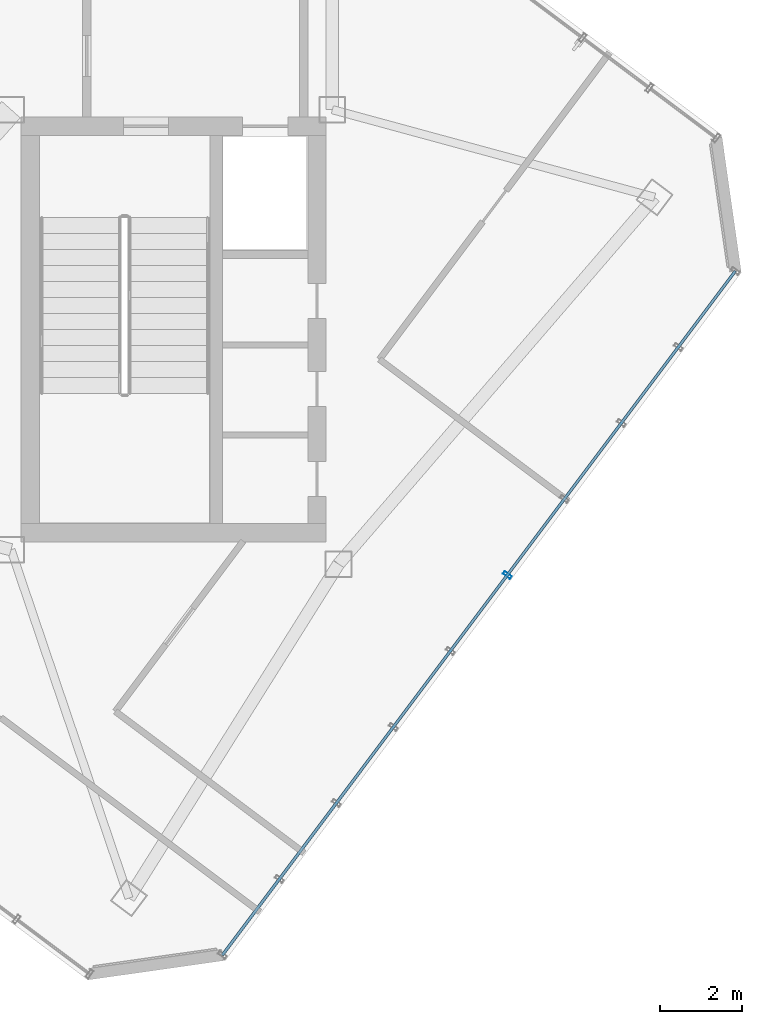
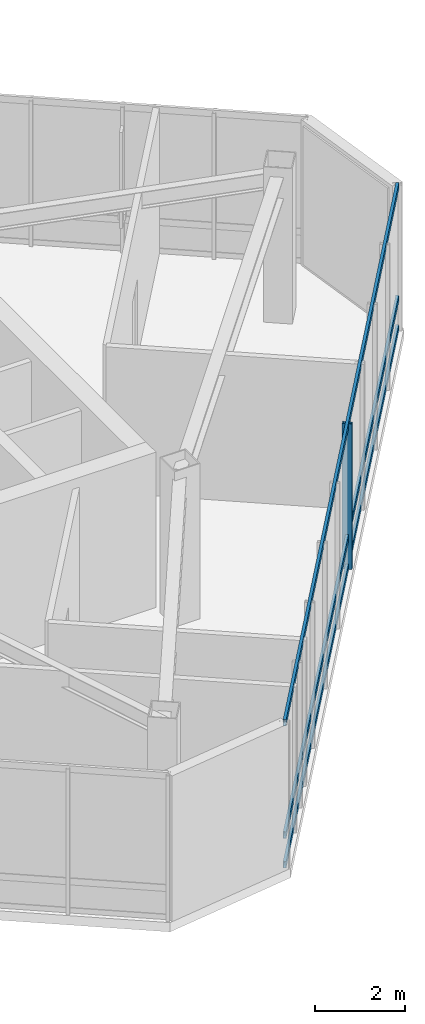
# One storey, part 10 of 22: 4 members, 1 element without a shape of its own.
"""IFC4 building model written with IfcOpenShell, lengths in metres."""

from ifc_helpers import new_model, si_unit, direction, frame, origin, origin_2d, place, context, subcontext, project, spatial, hollow_rectangle, extrude, material, layer, layer_set, material_profile, profile_set, type_object, element, aggregate, save


model = new_model("IFC4")

# Units and contexts
model_context = context("Model", 3, precision=1e-05, world=origin(), true_north=direction((0.0, 1.0)))
body_context = subcontext(model_context, "Body", "Model", "MODEL_VIEW")
ifc_project = project(units=[si_unit("LENGTHUNIT", "METRE"), si_unit("AREAUNIT", "SQUARE_METRE"), si_unit("VOLUMEUNIT", "CUBIC_METRE"), si_unit("PLANEANGLEUNIT", "RADIAN"), si_unit("MASSUNIT", "GRAM", prefix="KILO")], contexts=[model_context])

# Site, building, storey
site_placement = place(None, origin())
site = spatial("IfcSite", under=ifc_project, at=site_placement, CompositionType="ELEMENT")
building_placement = place(site_placement, origin())
building = spatial("IfcBuilding", under=site, at=building_placement, Name="Hatsunagi Terrace Concourse", CompositionType="ELEMENT")
storey_placement = place(building_placement, frame((0.0, 0.0, 261.75)))
storey = spatial("IfcBuildingStorey", under=building, at=storey_placement, Name="L69", CompositionType="ELEMENT", Elevation=261.75)

# Curtain wall, members
ifc_material_1 = material(Name="Anodised Aluminium Alloy 6063-T5", Category="aluminium")
ifc_layer = layer(ifc_material_1, 0.199951171875)
ifc_layer_set = layer_set([ifc_layer], Name="SkyLobbyAtrium_CW05")
curtain_wall_type = type_object("IfcCurtainWallType", Name="SkyLobbyAtrium_CW05", PredefinedType="NOTDEFINED", material=ifc_layer_set)
curtain_wall_placement = place(storey_placement, origin())
curtain_wall = element("IfcCurtainWall", 1, at=curtain_wall_placement, inside=storey, type_object=curtain_wall_type, Name="Unitised Curtain Wall CW-05 CW-L69-08", PredefinedType="NOTDEFINED")
ifc_material_2 = material(Name="Anodised Aluminium Alloy 6063-T5", Category="aluminium")
ifc_material_profile_1 = material_profile(ifc_material_2, hollow_rectangle(XDim=0.080078125, YDim=0.219970703125, WallThickness=0.0048828125, at=origin_2d()), Name="ALU-MUL-220x80x5")
ifc_profile_set_1 = profile_set([ifc_material_profile_1], Name="Anodised Aluminium Alloy 6063-T5")
member_type_1 = type_object("IfcMemberType", Name="CurtainWallMullion_Heavy_220x80", PredefinedType="MULLION", material=ifc_profile_set_1)
member_1_placement = place(storey_placement, frame((47.924072265625, 23.931884765625, 0.0), z_axis=(0.0, 0.0, 1.0), x_axis=(-0.599969314634, -0.800023013105, 0.0)))
member_1 = element("IfcMember", 2, at=member_1_placement, type_object=member_type_1, Name="Curtain Wall Mullion MUL-01", PredefinedType="MULLION", context=body_context, shape_type="SweptSolid", body=[
    extrude(hollow_rectangle(XDim=0.080078125, YDim=0.219970703125, WallThickness=0.0048828125, at=origin_2d()), origin(), (0.0, 0.0, 1.0), 3.93994140625),
])
ifc_material_3 = material(Name="Anodised Aluminium Alloy 6063-T5", Category="aluminium")
ifc_material_profile_2 = material_profile(ifc_material_3, hollow_rectangle(XDim=0.070068359375, YDim=0.179931640625, WallThickness=0.00390625, at=origin_2d()), Name="ALU-TRN-180x70x4")
ifc_profile_set_2 = profile_set([ifc_material_profile_2], Name="Anodised Aluminium Alloy 6063-T5")
member_type_2 = type_object("IfcMemberType", Name="CurtainWallTransom_Heavy_180x70", PredefinedType="USERDEFINED", material=ifc_profile_set_2)
member_2_placement = place(storey_placement, frame((53.492919921875, 31.35791015625, 0.050048828125), z_axis=(-0.599970072971, -0.800022444397, 0.0), x_axis=(0.800022444397, -0.599970072971, 0.0)))
member_2 = element("IfcMember", 3, at=member_2_placement, type_object=member_type_2, Name="Curtain Wall Transom TRN-01", ObjectType="TRANSOM", PredefinedType="USERDEFINED", context=body_context, shape_type="SweptSolid", body=[
    extrude(hollow_rectangle(XDim=0.070068359375, YDim=0.179931640625, WallThickness=0.00390625, at=origin_2d()), origin(), (0.0, 0.0, 1.0), 20.884521484375),
])
member_3_placement = place(storey_placement, frame((53.492919921875, 31.35791015625, 0.85009765625), z_axis=(-0.599970072971, -0.800022444397, 0.0), x_axis=(0.800022444397, -0.599970072971, 0.0)))
member_3 = element("IfcMember", 4, at=member_3_placement, type_object=member_type_2, Name="Curtain Wall Transom TRN-01", ObjectType="TRANSOM", PredefinedType="USERDEFINED", context=body_context, shape_type="SweptSolid", body=[
    extrude(hollow_rectangle(XDim=0.070068359375, YDim=0.179931640625, WallThickness=0.00390625, at=origin_2d()), origin(), (0.0, 0.0, 1.0), 20.884521484375),
])
member_4_placement = place(storey_placement, frame((53.492919921875, 31.35791015625, 3.889892578125), z_axis=(-0.599970072971, -0.800022444397, 0.0), x_axis=(0.800022444397, -0.599970072971, 0.0)))
member_4 = element("IfcMember", 5, at=member_4_placement, type_object=member_type_2, Name="Curtain Wall Transom TRN-01", ObjectType="TRANSOM", PredefinedType="USERDEFINED", context=body_context, shape_type="SweptSolid", body=[
    extrude(hollow_rectangle(XDim=0.070068359375, YDim=0.179931640625, WallThickness=0.00390625, at=origin_2d()), origin(), (0.0, 0.0, 1.0), 20.884521484375),
])
aggregate(curtain_wall, [member_1, member_2, member_3, member_4])

save(model, "model.ifc")
